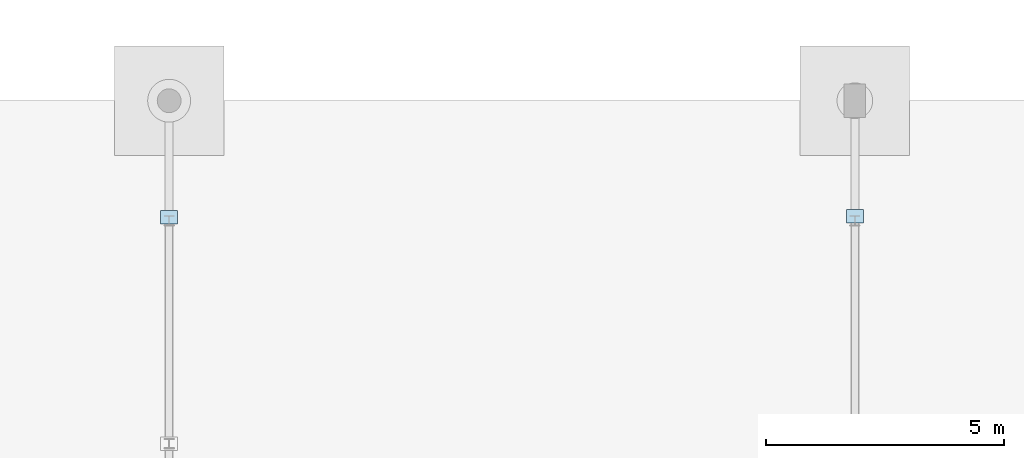
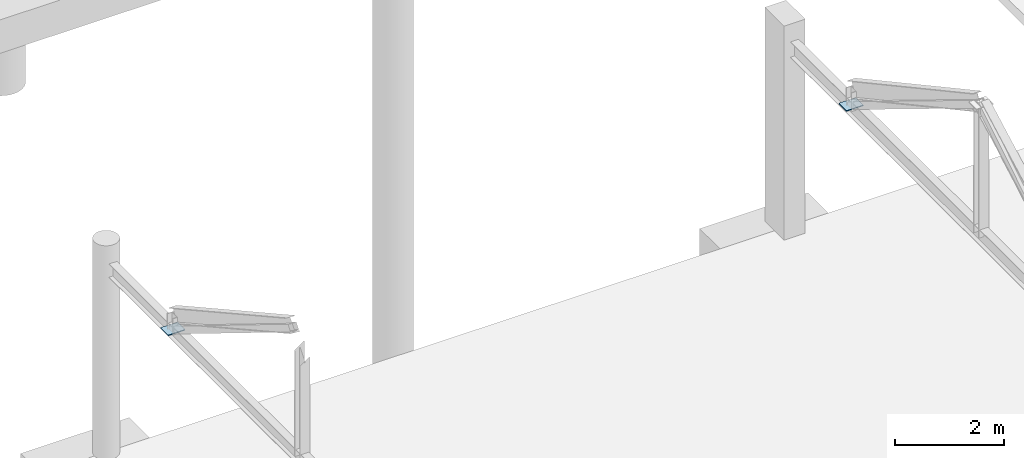
# One storey, part 234 of 285: 2 plates.
"""IFC4 building model written with IfcOpenShell, lengths in metres."""

from ifc_helpers import new_model, si_unit, direction, frame, origin, origin_2d, place, context, subcontext, project, spatial, rectangle, extrude, material, layer, layer_set, type_object, element, save


model = new_model("IFC4")

# Units and contexts
model_context = context("Model", 3, precision=1e-05, world=origin(), true_north=direction((0.0, 1.0)))
body_context = subcontext(model_context, "Body", "Model", "MODEL_VIEW")
ifc_project = project(units=[si_unit("LENGTHUNIT", "METRE"), si_unit("AREAUNIT", "SQUARE_METRE"), si_unit("VOLUMEUNIT", "CUBIC_METRE"), si_unit("PLANEANGLEUNIT", "RADIAN"), si_unit("MASSUNIT", "GRAM", prefix="KILO")], contexts=[model_context])

# Site, building, storey
site_placement = place(None, origin())
site = spatial("IfcSite", under=ifc_project, at=site_placement, CompositionType="ELEMENT")
building_placement = place(site_placement, origin())
building = spatial("IfcBuilding", under=site, at=building_placement, Name="Solanera Park Tramway Depot", CompositionType="ELEMENT")
storey_placement = place(building_placement, origin())
storey = spatial("IfcBuildingStorey", under=building, at=storey_placement, Name="L00", CompositionType="ELEMENT", Elevation=0.0)

# Plates
ifc_material = material(Name="Steel AS/NZS 3679.1 Grade 350", Category="steel")
ifc_layer = layer(ifc_material, 0.01806640625)
ifc_layer_set = layer_set([ifc_layer], Name="Steel AS/NZS 3679.1 Grade 350")
plate_type = type_object("IfcPlateType", Name="Hollow End Cap and Base Plate 360x280x18", PredefinedType="USERDEFINED", material=ifc_layer_set)
for number, where, z_axis, x_axis, name in (
    (1, (165.60009765625, 98.35009765625, 4.2373046875), (0.0, 0.0, 1.0), (1.0, 0.0, 0.0), "Hip Truss Web Sealed Cap Plate #1172"),
    (2, (180.0, 98.375, 4.213134765625), (0.0, 0.0, 1.0), (1.0, 0.0, 0.0), "Hip Truss Web Sealed Cap Plate #1175"),
):
    element("IfcPlate", number, at=place(storey_placement, frame(where, z_axis=z_axis, x_axis=x_axis)), inside=storey, type_object=plate_type, Name=name, ObjectType="BASE PLATE", PredefinedType="USERDEFINED", context=body_context, shape_type="SweptSolid", body=[
        extrude(rectangle(XDim=0.360107421875, YDim=0.280029296875, at=origin_2d()), origin(), (0.0, 0.0, 1.0), 0.01806640625),
    ])

save(model, "model.ifc")
